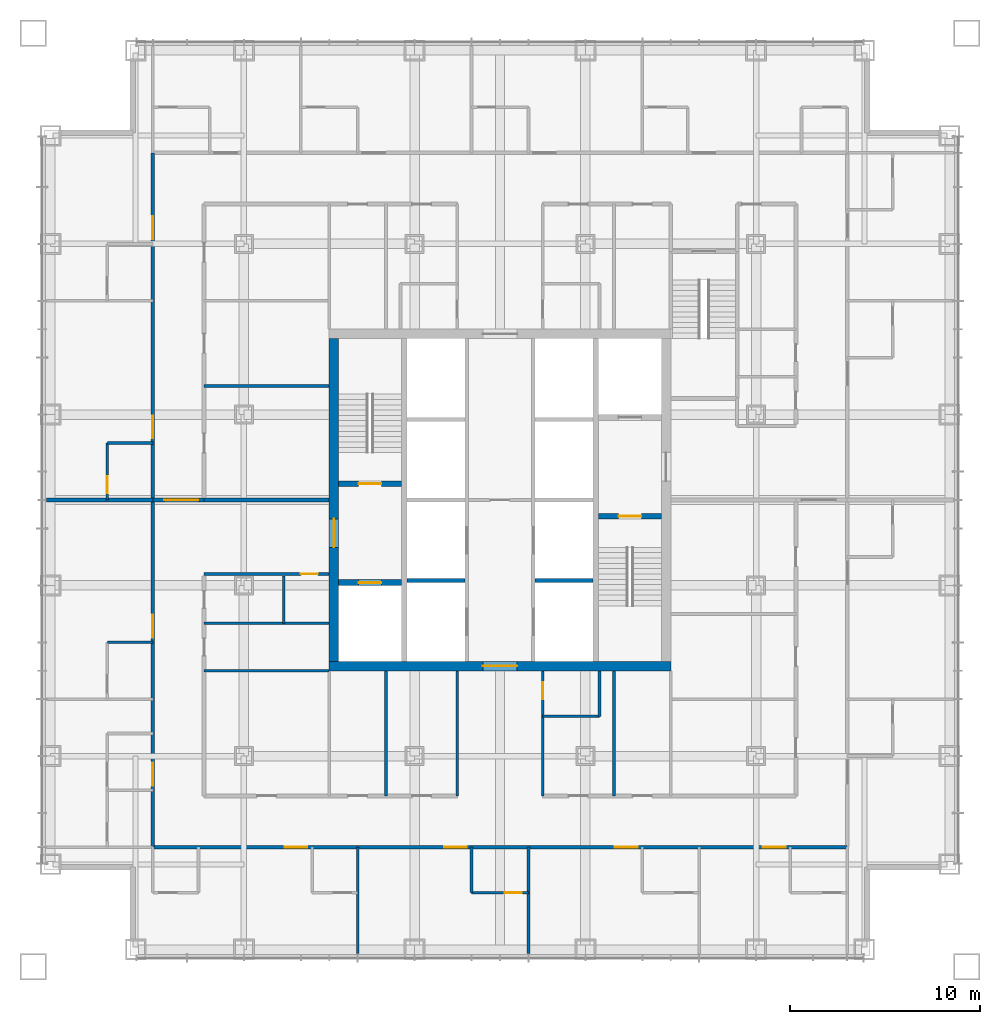
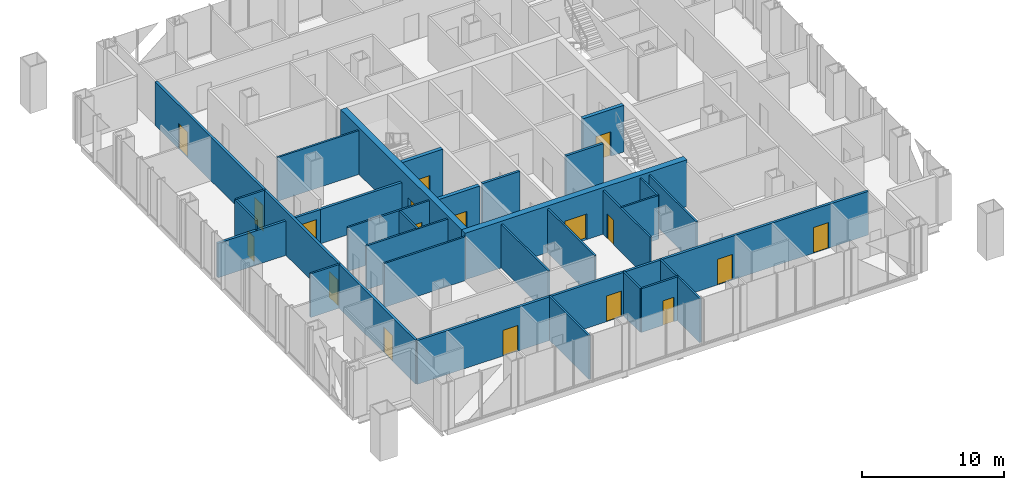
# One storey, part 9 of 13: 30 walls, 18 doors, 18 openings.
"""IFC4 building model written with IfcOpenShell, lengths in metres."""

import ifcopenshell
import ifcopenshell.guid

model = None  # the IFC model being written
_history = None  # IfcOwnerHistory: only IFC2X3 demands one
_inside = {}  # id of a spatial element -> (the spatial element, [elements in it])
_under = {}  # id of a project, library or spatial element -> (it, [spatial elements below it])
_declared = {}  # id of a project -> (the project, [libraries it declares])
_typed = {}  # id of a type object -> (the type object, [elements of that type])
_made_of = {}  # id of a material, layer set ... -> (it, [elements and type objects made of it])


def new_model(schema):
    """Start an empty IFC model of exactly this schema.

    Asked for "IFC4X3", IfcOpenShell would pick the latest addendum, in which some entities
    have other attributes; the version numbers below select the first issue.
    IFC2X3 requires an IfcOwnerHistory on every rooted entity: one is made here for all.
    """
    global model, _history
    if schema == "IFC4X3":
        model = ifcopenshell.file(schema_version=(4, 3, 0, 0))
    else:
        model = ifcopenshell.file(schema=schema)
    _inside.clear()
    _under.clear()
    _declared.clear()
    _typed.clear()
    _made_of.clear()
    _history = None
    if model.schema == "IFC2X3":
        org = make("IfcOrganization", Name="unknown")
        user = make(
            "IfcPersonAndOrganization",
            ThePerson=make("IfcPerson", FamilyName="unknown"),
            TheOrganization=org,
        )
        app = make(
            "IfcApplication",
            ApplicationDeveloper=org,
            Version="unknown",
            ApplicationFullName="unknown",
            ApplicationIdentifier="unknown",
        )
        _history = make(
            "IfcOwnerHistory",
            OwningUser=user,
            OwningApplication=app,
            ChangeAction="ADDED",
            CreationDate=0,
        )
    return model


def make(cls, **values):
    """One entity of the class cls with the attributes given. An attribute that is None is left unset."""
    return model.create_entity(
        cls, **{name: value for name, value in values.items() if value is not None}
    )


def rooted(cls, **values):
    """An entity with a GlobalId (a new one), such as an element, a storey or a relation."""
    return make(cls, GlobalId=ifcopenshell.guid.new(), OwnerHistory=_history, **values)


def si_unit(unit_type, name, prefix=None):
    """IfcSIUnit, for example si_unit("LENGTHUNIT", "METRE", prefix="MILLI")."""
    return make("IfcSIUnit", UnitType=unit_type, Prefix=prefix, Name=name)


def assignment(units):
    """IfcUnitAssignment: the units of a project."""
    return None if units is None else make("IfcUnitAssignment", Units=units)


def point(xyz):
    """IfcCartesianPoint."""
    return None if xyz is None else make("IfcCartesianPoint", Coordinates=xyz)


def direction(xyz):
    """IfcDirection."""
    return None if xyz is None else make("IfcDirection", DirectionRatios=xyz)


def frame(location, z_axis=None, x_axis=None):
    """IfcAxis2Placement3D, a coordinate frame: its origin and axes. An axis left out is left unset."""
    return make(
        "IfcAxis2Placement3D",
        Location=point(location),
        Axis=direction(z_axis),
        RefDirection=direction(x_axis),
    )


def frame_2d(location, x_axis=None):
    """IfcAxis2Placement2D, a coordinate frame in the plane: its origin and x axis."""
    return make(
        "IfcAxis2Placement2D", Location=point(location), RefDirection=direction(x_axis)
    )


def origin():
    """The frame at (0, 0, 0) with its axes left unset."""
    return frame((0.0, 0.0, 0.0))


def place(relative_to, where):
    """IfcLocalPlacement: puts the frame where relative to a parent placement (None: the world)."""
    return make(
        "IfcLocalPlacement", PlacementRelTo=relative_to, RelativePlacement=where
    )


def context(
    kind, dimensions, precision=None, world=None, true_north=None, identifier=None
):
    """IfcGeometricRepresentationContext, for example the 3D "Model" context."""
    return make(
        "IfcGeometricRepresentationContext",
        ContextIdentifier=identifier,
        ContextType=kind,
        CoordinateSpaceDimension=dimensions,
        Precision=precision,
        WorldCoordinateSystem=world,
        TrueNorth=true_north,
    )


def subcontext(parent, identifier, kind, view, scale=None):
    """IfcGeometricRepresentationSubContext, for example "Body" below "Model"."""
    return make(
        "IfcGeometricRepresentationSubContext",
        ContextIdentifier=identifier,
        ContextType=kind,
        ParentContext=parent,
        TargetScale=scale,
        TargetView=view,
    )


def project(units=None, contexts=None):
    """IfcProject with its units and contexts."""
    return rooted(
        "IfcProject",
        Name="project",
        RepresentationContexts=contexts,
        UnitsInContext=assignment(units),
    )


def spatial(cls, under=None, at=None, **own):
    """A site, building, storey or space (cls), placed at a placement, below another one or the project."""
    s = rooted(cls, ObjectPlacement=at, **own)
    if under is not None:
        _under.setdefault(under.id(), (under, []))[1].append(s)
    return s


def profile(cls, at=None, kind="AREA", **sizes):
    """A parametric profile (cls). Its sizes go by their IFC names, for example OverallWidth=200.0."""
    return make(cls, ProfileType=kind, Position=at, **sizes)


def rectangle(**sizes):
    """IfcRectangleProfileDef."""
    return profile("IfcRectangleProfileDef", **sizes)


def extrude(swept, where, along, depth):
    """IfcExtrudedAreaSolid: the profile swept, set in the frame where, extruded along a direction by depth."""
    return make(
        "IfcExtrudedAreaSolid",
        SweptArea=swept,
        Position=where,
        ExtrudedDirection=direction(along),
        Depth=depth,
    )


def shape(context_of_items, identifier, shape_type, items):
    """IfcShapeRepresentation: the items that make up one representation, for example the "Body"."""
    return make(
        "IfcShapeRepresentation",
        ContextOfItems=context_of_items,
        RepresentationIdentifier=identifier,
        RepresentationType=shape_type,
        Items=items,
    )


def material(Name=None, Category=None):
    """IfcMaterial."""
    return make("IfcMaterial", Name=Name, Category=Category)


def layer(
    of_material, thickness, ventilated=None, Name=None, Category=None, Priority=None
):
    """IfcMaterialLayer: one layer of a wall or slab, of a material (None: an air gap)."""
    return make(
        "IfcMaterialLayer",
        Material=of_material,
        LayerThickness=thickness,
        IsVentilated=ventilated,
        Name=Name,
        Category=Category,
        Priority=Priority,
    )


def layer_set(layers, Name=None):
    """IfcMaterialLayerSet."""
    return make("IfcMaterialLayerSet", MaterialLayers=layers, LayerSetName=Name)


def made_of(thing, what):
    """Note that an element or type object is made of a material, layer set ...; save() writes the relation."""
    if what is not None:
        _made_of.setdefault(what.id(), (what, []))[1].append(thing)
    return thing


def type_object(cls, material=None, **own):
    """A type object (cls), such as IfcWallType, which elements share."""
    return made_of(rooted(cls, **own), material)


def element(
    cls,
    number,
    at=None,
    inside=None,
    cuts=None,
    type_object=None,
    material=None,
    context=None,
    identifier="Body",
    shape_type=None,
    held_by="IfcProductDefinitionShape",
    body=None,
    shapes=None,
    **own,
):
    """One element of the class cls, such as IfcWall. Its Tag is "e" and its number.

    at: its placement. inside: the storey or other place that contains it. cuts: it is an
    opening in that element (IfcRelVoidsElement). A single representation is given by context,
    identifier, shape_type and body (its items); several are given by shapes. held_by: the class
    of the entity that holds the representations. save() writes the other relations.
    """
    e = rooted(cls, Tag="e%d" % number, ObjectPlacement=at, **own)
    if body is not None:
        shapes = [shape(context, identifier, shape_type, body)]
    if shapes is not None:
        e.Representation = make(held_by, Representations=shapes)
    if inside is not None:
        _inside.setdefault(inside.id(), (inside, []))[1].append(e)
    if cuts is not None:
        rooted(
            "IfcRelVoidsElement", RelatingBuildingElement=cuts, RelatedOpeningElement=e
        )
    if type_object is not None:
        _typed.setdefault(type_object.id(), (type_object, []))[1].append(e)
    return made_of(e, material)


def fill(opening, filler):
    """IfcRelFillsElement: the door or window that sits in an opening."""
    return rooted(
        "IfcRelFillsElement",
        RelatingOpeningElement=opening,
        RelatedBuildingElement=filler,
    )


def aggregate(whole, parts):
    """IfcRelAggregates: a whole, such as a stair, and the parts it consists of."""
    return rooted("IfcRelAggregates", RelatingObject=whole, RelatedObjects=parts)


def save(model, path):
    """Write the relations noted so far, then the file.

    IfcRelAggregates (storeys below a building ...), IfcRelContainedInSpatialStructure (elements
    in a storey), IfcRelDefinesByType, IfcRelAssociatesMaterial and IfcRelDeclares: one each for
    every whole, place, type object, material and project.
    """
    for whole, parts in _under.values():
        aggregate(whole, parts)
    for where, things in _inside.values():
        rooted(
            "IfcRelContainedInSpatialStructure",
            RelatedElements=things,
            RelatingStructure=where,
        )
    for kind, things in _typed.values():
        rooted("IfcRelDefinesByType", RelatedObjects=things, RelatingType=kind)
    for what, things in _made_of.values():
        rooted("IfcRelAssociatesMaterial", RelatedObjects=things, RelatingMaterial=what)
    for by, libraries in _declared.values():
        rooted("IfcRelDeclares", RelatingContext=by, RelatedDefinitions=libraries)
    model.write(path)


model = new_model("IFC4")

# Units and contexts
model_context = context("Model", 3, precision=1e-05, world=origin(), true_north=direction((0.0, 1.0)))
body_context = subcontext(model_context, "Body", "Model", "MODEL_VIEW")
ifc_project = project(units=[si_unit("LENGTHUNIT", "METRE"), si_unit("AREAUNIT", "SQUARE_METRE"), si_unit("VOLUMEUNIT", "CUBIC_METRE"), si_unit("PLANEANGLEUNIT", "RADIAN"), si_unit("MASSUNIT", "GRAM", prefix="KILO")], contexts=[model_context])

# Site, building, storey
site_placement = place(None, origin())
site = spatial("IfcSite", under=ifc_project, at=site_placement, CompositionType="ELEMENT")
building_placement = place(site_placement, origin())
building = spatial("IfcBuilding", under=site, at=building_placement, Name="Malebo Sky Hospital", CompositionType="ELEMENT")
storey_placement = place(building_placement, frame((0.0, 0.0, 104.0)))
storey = spatial("IfcBuildingStorey", under=building, at=storey_placement, Name="L24", CompositionType="ELEMENT", Elevation=104.0)

# Walls
ifc_material_1 = material(Name="Concrete C80/95", Category="concrete")
ifc_layer_1 = layer(ifc_material_1, 0.199951171875)
ifc_layer_set_1 = layer_set([ifc_layer_1], Name="CORE INNER WALL 200")
wall_type_1 = type_object("IfcWallType", Name="CORE INNER WALL 200", PredefinedType="SHEAR", material=ifc_layer_set_1)
for number, where, z_axis, x_axis, name in (
    (1, (55.10009765625, 57.75, 0.0), (0.0, 0.0, 1.0), (1.0, 0.0, 0.0), "Core wall SW0 L24"),
    (2, (61.85009765625, 57.75, 0.0), (0.0, 0.0, 1.0), (1.0, 0.0, 0.0), "Core wall SE0 L24"),
):
    element("IfcWall", number, at=place(storey_placement, frame(where, z_axis=z_axis, x_axis=x_axis)), inside=storey, type_object=wall_type_1, Name=name, PredefinedType="SHEAR", context=body_context, shape_type="SweptSolid", body=[
        extrude(rectangle(XDim=3.0498046875, YDim=0.199951171875, at=frame_2d((1.52490234375, 0.0))), origin(), (0.0, 0.0, 1.0), 4.0),
    ])

# Wall, opening, door
ifc_layer_2 = layer(ifc_material_1, 0.300048828125)
ifc_layer_set_2 = layer_set([ifc_layer_2], Name="CORE INNER WALL 300")
wall_type_2 = type_object("IfcWallType", Name="CORE INNER WALL 300", PredefinedType="SHEAR", material=ifc_layer_set_2)
wall_1_placement = place(storey_placement, frame((51.5, 62.85009765625, 0.0), z_axis=(0.0, 0.0, 1.0), x_axis=(1.0, 0.0, 0.0)))
wall_1 = element("IfcWall", 3, at=wall_1_placement, inside=storey, type_object=wall_type_2, Name="Core wall W1 L24", PredefinedType="SHEAR", context=body_context, shape_type="SweptSolid", body=[
    extrude(rectangle(XDim=3.300048828125, YDim=0.300048828125, at=frame_2d((1.64990234375, 0.0))), origin(), (0.0, 0.0, 1.0), 4.0),
])
opening_1_placement = place(wall_1_placement, frame((1.050048828125, 0.0, 0.0)))
opening_1 = element("IfcOpeningElement", 4, at=opening_1_placement, cuts=wall_1, Name="Opening D08", PredefinedType="OPENING", context=body_context, shape_type="SweptSolid", body=[
    extrude(rectangle(XDim=1.199951171875, YDim=2.10009765625, at=frame_2d((0.60009765625, 1.050048828125))), frame((0.0, 0.159912109375, 0.0), z_axis=(0.0, -1.0, 0.0), x_axis=(1.0, 0.0, 0.0)), (0.0, 0.0, 1.0), 0.320068359375),
])
ifc_material_2 = material(Name="Hardwood-faced door leaf in steel frame", Category="steel")
door_type_1 = type_object("IfcDoorType", Name="STAIR DOOR 1200", OperationType="SINGLE_SWING_LEFT", PredefinedType="DOOR", material=ifc_material_2)
door_1_placement = place(opening_1_placement, origin())
door_1 = element("IfcDoor", 5, at=door_1_placement, inside=storey, type_object=door_type_1, Name="Stair S1 door", OperationType="SINGLE_SWING_LEFT", OverallHeight=2.10009765625, OverallWidth=1.199951171875, PredefinedType="DOOR", context=body_context, shape_type="SweptSolid", body=[
    extrude(rectangle(XDim=1.199951171875, YDim=2.10009765625, at=frame_2d((0.60009765625, 1.050048828125))), frame((0.0, 0.02490234375, 0.0), z_axis=(0.0, -1.0, 0.0), x_axis=(1.0, 0.0, 0.0)), (0.0, 0.0, 1.0), 0.050048828125),
])
fill(opening_1, door_1)

wall_2_placement = place(storey_placement, frame((51.5, 57.64990234375, 0.0), z_axis=(0.0, 0.0, 1.0), x_axis=(1.0, 0.0, 0.0)))
wall_2 = element("IfcWall", 6, at=wall_2_placement, inside=storey, type_object=wall_type_2, Name="Core wall W2 L24", PredefinedType="SHEAR", context=body_context, shape_type="SweptSolid", body=[
    extrude(rectangle(XDim=3.300048828125, YDim=0.300048828125, at=frame_2d((1.64990234375, 0.0))), origin(), (0.0, 0.0, 1.0), 4.0),
])
opening_2_placement = place(wall_2_placement, frame((1.050048828125, 0.0, 0.0)))
opening_2 = element("IfcOpeningElement", 7, at=opening_2_placement, cuts=wall_2, Name="Opening LD2", PredefinedType="OPENING", context=body_context, shape_type="SweptSolid", body=[
    extrude(rectangle(XDim=1.199951171875, YDim=2.199951171875, at=frame_2d((0.60009765625, 1.10009765625))), frame((0.0, 0.159912109375, 0.0), z_axis=(0.0, -1.0, 0.0), x_axis=(1.0, 0.0, 0.0)), (0.0, 0.0, 1.0), 0.320068359375),
])
ifc_material_3 = material(Name="Stainless steel sliding landing door", Category="steel")
door_type_2 = type_object("IfcDoorType", Name="FIRE-FIGHTING LIFT LANDING DOOR 1200", OperationType="SLIDING_TO_LEFT", PredefinedType="DOOR", material=ifc_material_3)
door_2_placement = place(opening_2_placement, origin())
door_2 = element("IfcDoor", 8, at=door_2_placement, inside=storey, type_object=door_type_2, Name="Lift FL1 landing door", OperationType="SLIDING_TO_LEFT", OverallHeight=2.199951171875, OverallWidth=1.199951171875, PredefinedType="DOOR", context=body_context, shape_type="SweptSolid", body=[
    extrude(rectangle(XDim=1.199951171875, YDim=2.199951171875, at=frame_2d((0.60009765625, 1.10009765625))), frame((0.0, 0.02490234375, 0.0), z_axis=(0.0, -1.0, 0.0), x_axis=(1.0, 0.0, 0.0)), (0.0, 0.0, 1.0), 0.050048828125),
])
fill(opening_2, door_2)

wall_3_placement = place(storey_placement, frame((65.199951171875, 61.14990234375, 0.0), z_axis=(0.0, 0.0, 1.0), x_axis=(1.0, 0.0, 0.0)))
wall_3 = element("IfcWall", 9, at=wall_3_placement, inside=storey, type_object=wall_type_2, Name="Core wall E1 L24", PredefinedType="SHEAR", context=body_context, shape_type="SweptSolid", body=[
    extrude(rectangle(XDim=3.300048828125, YDim=0.300048828125, at=frame_2d((1.64990234375, 0.0))), origin(), (0.0, 0.0, 1.0), 4.0),
])
opening_3_placement = place(wall_3_placement, frame((1.050048828125, 0.0, 0.0)))
opening_3 = element("IfcOpeningElement", 10, at=opening_3_placement, cuts=wall_3, Name="Opening D08", PredefinedType="OPENING", context=body_context, shape_type="SweptSolid", body=[
    extrude(rectangle(XDim=1.199951171875, YDim=2.10009765625, at=frame_2d((0.60009765625, 1.050048828125))), frame((0.0, 0.159912109375, 0.0), z_axis=(0.0, -1.0, 0.0), x_axis=(1.0, 0.0, 0.0)), (0.0, 0.0, 1.0), 0.320068359375),
])
door_3_placement = place(opening_3_placement, origin())
door_3 = element("IfcDoor", 11, at=door_3_placement, inside=storey, type_object=door_type_1, Name="Stair S2 door", OperationType="SINGLE_SWING_LEFT", OverallHeight=2.10009765625, OverallWidth=1.199951171875, PredefinedType="DOOR", context=body_context, shape_type="SweptSolid", body=[
    extrude(rectangle(XDim=1.199951171875, YDim=2.10009765625, at=frame_2d((0.60009765625, 1.050048828125))), frame((0.0, 0.02490234375, 0.0), z_axis=(0.0, -1.0, 0.0), x_axis=(1.0, 0.0, 0.0)), (0.0, 0.0, 1.0), 0.050048828125),
])
fill(opening_3, door_3)

ifc_layer_3 = layer(ifc_material_1, 0.5)
ifc_layer_set_3 = layer_set([ifc_layer_3], Name="CORE WALL 500")
wall_type_3 = type_object("IfcWallType", Name="CORE WALL 500", PredefinedType="SHEAR", material=ifc_layer_set_3)
wall_4_placement = place(storey_placement, frame((51.0, 53.25, 0.0), z_axis=(0.0, 0.0, 1.0), x_axis=(1.0, 0.0, 0.0)))
wall_4 = element("IfcWall", 12, at=wall_4_placement, inside=storey, type_object=wall_type_3, Name="Core wall S L24", PredefinedType="SHEAR", context=body_context, shape_type="SweptSolid", body=[
    extrude(rectangle(XDim=18.0, YDim=0.5, at=frame_2d((9.0, 0.0))), origin(), (0.0, 0.0, 1.0), 4.0),
])
opening_4_placement = place(wall_4_placement, frame((8.10009765625, 0.0, 0.0)))
opening_4 = element("IfcOpeningElement", 13, at=opening_4_placement, cuts=wall_4, Name="Opening D06", PredefinedType="OPENING", context=body_context, shape_type="SweptSolid", body=[
    extrude(rectangle(XDim=1.800048828125, YDim=2.199951171875, at=frame_2d((0.89990234375, 1.10009765625))), frame((0.0, 0.260009765625, 0.0), z_axis=(0.0, -1.0, 0.0), x_axis=(1.0, 0.0, 0.0)), (0.0, 0.0, 1.0), 0.52001953125),
])
door_type_3 = type_object("IfcDoorType", Name="LOBBY DOOR PAIR 1800", OperationType="DOUBLE_DOOR_SINGLE_SWING", PredefinedType="DOOR", material=ifc_material_2)
door_4_placement = place(opening_4_placement, origin())
door_4 = element("IfcDoor", 14, at=door_4_placement, inside=storey, type_object=door_type_3, Name="Lift lobby door south", OperationType="DOUBLE_DOOR_SINGLE_SWING", OverallHeight=2.199951171875, OverallWidth=1.800048828125, PredefinedType="DOOR", context=body_context, shape_type="SweptSolid", body=[
    extrude(rectangle(XDim=1.800048828125, YDim=2.199951171875, at=frame_2d((0.89990234375, 1.10009765625))), frame((0.0, 0.02490234375, 0.0), z_axis=(0.0, -1.0, 0.0), x_axis=(1.0, 0.0, 0.0)), (0.0, 0.0, 1.0), 0.050048828125),
])
fill(opening_4, door_4)

wall_5_placement = place(storey_placement, frame((51.25, 53.5, 0.0), z_axis=(0.0, 0.0, 1.0), x_axis=(0.0, 1.0, 0.0)))
wall_5 = element("IfcWall", 15, at=wall_5_placement, inside=storey, type_object=wall_type_3, Name="Core wall W L24", PredefinedType="SHEAR", context=body_context, shape_type="SweptSolid", body=[
    extrude(rectangle(XDim=17.0, YDim=0.5, at=frame_2d((8.5, 0.0))), origin(), (0.0, 0.0, 1.0), 4.0),
])
opening_5_placement = place(wall_5_placement, frame((6.0, 0.0, 0.0)))
opening_5 = element("IfcOpeningElement", 16, at=opening_5_placement, cuts=wall_5, Name="Opening D07", PredefinedType="OPENING", context=body_context, shape_type="SweptSolid", body=[
    extrude(rectangle(XDim=1.5, YDim=2.199951171875, at=frame_2d((0.75, 1.10009765625))), frame((0.0, 0.260009765625, 0.0), z_axis=(0.0, -1.0, 0.0), x_axis=(1.0, 0.0, 0.0)), (0.0, 0.0, 1.0), 0.52001953125),
])
door_type_4 = type_object("IfcDoorType", Name="FIRE-FIGHTING LOBBY DOOR PAIR 1500", OperationType="DOUBLE_DOOR_SINGLE_SWING", PredefinedType="DOOR", material=ifc_material_2)
door_5_placement = place(opening_5_placement, origin())
door_5 = element("IfcDoor", 17, at=door_5_placement, inside=storey, type_object=door_type_4, Name="Fire-fighting lobby door west", OperationType="DOUBLE_DOOR_SINGLE_SWING", OverallHeight=2.199951171875, OverallWidth=1.5, PredefinedType="DOOR", context=body_context, shape_type="SweptSolid", body=[
    extrude(rectangle(XDim=1.5, YDim=2.199951171875, at=frame_2d((0.75, 1.10009765625))), frame((0.0, 0.02490234375, 0.0), z_axis=(0.0, -1.0, 0.0), x_axis=(1.0, 0.0, 0.0)), (0.0, 0.0, 1.0), 0.050048828125),
])
fill(opening_5, door_5)

# Wall, openings, doors
ifc_material_4 = material(Name="Gypsum board on steel studs", Category="steel")
ifc_layer_4 = layer(ifc_material_4, 0.199951171875)
ifc_layer_set_4 = layer_set([ifc_layer_4], Name="CORRIDOR WALL 200")
wall_type_4 = type_object("IfcWallType", Name="CORRIDOR WALL 200", PredefinedType="PARTITIONING", material=ifc_layer_set_4)
wall_6_placement = place(storey_placement, frame((41.699951171875, 43.699951171875, 0.0), z_axis=(0.0, 0.0, 1.0), x_axis=(0.0, 1.0, 0.0)))
wall_6 = element("IfcWall", 18, at=wall_6_placement, inside=storey, type_object=wall_type_4, Name="Corridor Wall 200 WCO", PredefinedType="PARTITIONING", context=body_context, shape_type="SweptSolid", body=[
    extrude(rectangle(XDim=36.60009765625, YDim=0.199951171875, at=frame_2d((18.300048828125, 0.0))), origin(), (0.0, 0.0, 1.0), 3.75),
])
opening_6_placement = place(wall_6_placement, frame((3.25, 0.0, 0.0)))
opening_6 = element("IfcOpeningElement", 19, at=opening_6_placement, cuts=wall_6, Name="Opening D18", PredefinedType="OPENING", context=body_context, shape_type="SweptSolid", body=[
    extrude(rectangle(XDim=1.199951171875, YDim=2.199951171875, at=frame_2d((0.60009765625, 1.10009765625))), frame((0.0, 0.10986328125, 0.0), z_axis=(0.0, -1.0, 0.0), x_axis=(1.0, 0.0, 0.0)), (0.0, 0.0, 1.0), 0.219970703125),
])
opening_7_placement = place(wall_6_placement, frame((11.050048828125, 0.0, 0.0)))
opening_7 = element("IfcOpeningElement", 20, at=opening_7_placement, cuts=wall_6, Name="Opening D01", PredefinedType="OPENING", context=body_context, shape_type="SweptSolid", body=[
    extrude(rectangle(XDim=1.199951171875, YDim=2.199951171875, at=frame_2d((0.60009765625, 1.10009765625))), frame((0.0, 0.10986328125, 0.0), z_axis=(0.0, -1.0, 0.0), x_axis=(1.0, 0.0, 0.0)), (0.0, 0.0, 1.0), 0.219970703125),
])
opening_8_placement = place(wall_6_placement, frame((21.550048828125, 0.0, 0.0)))
opening_8 = element("IfcOpeningElement", 21, at=opening_8_placement, cuts=wall_6, Name="Opening D01", PredefinedType="OPENING", context=body_context, shape_type="SweptSolid", body=[
    extrude(rectangle(XDim=1.199951171875, YDim=2.199951171875, at=frame_2d((0.60009765625, 1.10009765625))), frame((0.0, 0.10986328125, 0.0), z_axis=(0.0, -1.0, 0.0), x_axis=(1.0, 0.0, 0.0)), (0.0, 0.0, 1.0), 0.219970703125),
])
opening_9_placement = place(wall_6_placement, frame((32.050048828125, 0.0, 0.0)))
opening_9 = element("IfcOpeningElement", 22, at=opening_9_placement, cuts=wall_6, Name="Opening D01", PredefinedType="OPENING", context=body_context, shape_type="SweptSolid", body=[
    extrude(rectangle(XDim=1.199951171875, YDim=2.199951171875, at=frame_2d((0.60009765625, 1.10009765625))), frame((0.0, 0.10986328125, 0.0), z_axis=(0.0, -1.0, 0.0), x_axis=(1.0, 0.0, 0.0)), (0.0, 0.0, 1.0), 0.219970703125),
])
door_type_5 = type_object("IfcDoorType", Name="ANTEROOM DOOR 1200", OperationType="SINGLE_SWING_LEFT", PredefinedType="DOOR", material=ifc_material_2)
door_6_placement = place(opening_6_placement, origin())
door_6 = element("IfcDoor", 23, at=door_6_placement, inside=storey, type_object=door_type_5, Name="Anteroom door", OperationType="SINGLE_SWING_LEFT", OverallHeight=2.199951171875, OverallWidth=1.199951171875, PredefinedType="DOOR", context=body_context, shape_type="SweptSolid", body=[
    extrude(rectangle(XDim=1.199951171875, YDim=2.199951171875, at=frame_2d((0.60009765625, 1.10009765625))), frame((0.0, 0.02490234375, 0.0), z_axis=(0.0, -1.0, 0.0), x_axis=(1.0, 0.0, 0.0)), (0.0, 0.0, 1.0), 0.050048828125),
])
fill(opening_6, door_6)
door_type_6 = type_object("IfcDoorType", Name="BED DOOR 1200", OperationType="SINGLE_SWING_LEFT", PredefinedType="DOOR", material=ifc_material_2)
door_7_placement = place(opening_7_placement, origin())
door_7 = element("IfcDoor", 24, at=door_7_placement, inside=storey, type_object=door_type_6, Name="Observation bay door", OperationType="SINGLE_SWING_LEFT", OverallHeight=2.199951171875, OverallWidth=1.199951171875, PredefinedType="DOOR", context=body_context, shape_type="SweptSolid", body=[
    extrude(rectangle(XDim=1.199951171875, YDim=2.199951171875, at=frame_2d((0.60009765625, 1.10009765625))), frame((0.0, 0.02490234375, 0.0), z_axis=(0.0, -1.0, 0.0), x_axis=(1.0, 0.0, 0.0)), (0.0, 0.0, 1.0), 0.050048828125),
])
fill(opening_7, door_7)
door_8_placement = place(opening_8_placement, origin())
door_8 = element("IfcDoor", 25, at=door_8_placement, inside=storey, type_object=door_type_6, Name="Coronary care room door", OperationType="SINGLE_SWING_LEFT", OverallHeight=2.199951171875, OverallWidth=1.199951171875, PredefinedType="DOOR", context=body_context, shape_type="SweptSolid", body=[
    extrude(rectangle(XDim=1.199951171875, YDim=2.199951171875, at=frame_2d((0.60009765625, 1.10009765625))), frame((0.0, 0.02490234375, 0.0), z_axis=(0.0, -1.0, 0.0), x_axis=(1.0, 0.0, 0.0)), (0.0, 0.0, 1.0), 0.050048828125),
])
fill(opening_8, door_8)
door_9_placement = place(opening_9_placement, origin())
door_9 = element("IfcDoor", 26, at=door_9_placement, inside=storey, type_object=door_type_6, Name="Two-bed room door", OperationType="SINGLE_SWING_LEFT", OverallHeight=2.199951171875, OverallWidth=1.199951171875, PredefinedType="DOOR", context=body_context, shape_type="SweptSolid", body=[
    extrude(rectangle(XDim=1.199951171875, YDim=2.199951171875, at=frame_2d((0.60009765625, 1.10009765625))), frame((0.0, 0.02490234375, 0.0), z_axis=(0.0, -1.0, 0.0), x_axis=(1.0, 0.0, 0.0)), (0.0, 0.0, 1.0), 0.050048828125),
])
fill(opening_9, door_9)

wall_7_placement = place(storey_placement, frame((78.300048828125, 43.699951171875, 0.0), z_axis=(0.0, 0.0, 1.0), x_axis=(-1.0, 0.0, 0.0)))
wall_7 = element("IfcWall", 27, at=wall_7_placement, inside=storey, type_object=wall_type_4, Name="Corridor Wall 200 SCO", PredefinedType="PARTITIONING", context=body_context, shape_type="SweptSolid", body=[
    extrude(rectangle(XDim=36.60009765625, YDim=0.199951171875, at=frame_2d((18.300048828125, 0.0))), origin(), (0.0, 0.0, 1.0), 3.75),
])
opening_10_placement = place(wall_7_placement, frame((3.25, 0.0, 0.0)))
opening_10 = element("IfcOpeningElement", 28, at=opening_10_placement, cuts=wall_7, Name="Opening D01", PredefinedType="OPENING", context=body_context, shape_type="SweptSolid", body=[
    extrude(rectangle(XDim=1.199951171875, YDim=2.199951171875, at=frame_2d((0.60009765625, 1.10009765625))), frame((0.0, 0.10986328125, 0.0), z_axis=(0.0, -1.0, 0.0), x_axis=(1.0, 0.0, 0.0)), (0.0, 0.0, 1.0), 0.219970703125),
])
opening_11_placement = place(wall_7_placement, frame((11.050048828125, 0.0, 0.0)))
opening_11 = element("IfcOpeningElement", 29, at=opening_11_placement, cuts=wall_7, Name="Opening D01", PredefinedType="OPENING", context=body_context, shape_type="SweptSolid", body=[
    extrude(rectangle(XDim=1.199951171875, YDim=2.199951171875, at=frame_2d((0.60009765625, 1.10009765625))), frame((0.0, 0.10986328125, 0.0), z_axis=(0.0, -1.0, 0.0), x_axis=(1.0, 0.0, 0.0)), (0.0, 0.0, 1.0), 0.219970703125),
])
opening_12_placement = place(wall_7_placement, frame((20.050048828125, 0.0, 0.0)))
opening_12 = element("IfcOpeningElement", 30, at=opening_12_placement, cuts=wall_7, Name="Opening D01", PredefinedType="OPENING", context=body_context, shape_type="SweptSolid", body=[
    extrude(rectangle(XDim=1.199951171875, YDim=2.199951171875, at=frame_2d((0.60009765625, 1.10009765625))), frame((0.0, 0.10986328125, 0.0), z_axis=(0.0, -1.0, 0.0), x_axis=(1.0, 0.0, 0.0)), (0.0, 0.0, 1.0), 0.219970703125),
])
opening_13_placement = place(wall_7_placement, frame((28.449951171875, 0.0, 0.0)))
opening_13 = element("IfcOpeningElement", 31, at=opening_13_placement, cuts=wall_7, Name="Opening D01", PredefinedType="OPENING", context=body_context, shape_type="SweptSolid", body=[
    extrude(rectangle(XDim=1.199951171875, YDim=2.199951171875, at=frame_2d((0.60009765625, 1.10009765625))), frame((0.0, 0.10986328125, 0.0), z_axis=(0.0, -1.0, 0.0), x_axis=(1.0, 0.0, 0.0)), (0.0, 0.0, 1.0), 0.219970703125),
])
door_10_placement = place(opening_10_placement, origin())
door_10 = element("IfcDoor", 32, at=door_10_placement, inside=storey, type_object=door_type_6, Name="Coronary care room door", OperationType="SINGLE_SWING_LEFT", OverallHeight=2.199951171875, OverallWidth=1.199951171875, PredefinedType="DOOR", context=body_context, shape_type="SweptSolid", body=[
    extrude(rectangle(XDim=1.199951171875, YDim=2.199951171875, at=frame_2d((0.60009765625, 1.10009765625))), frame((0.0, 0.02490234375, 0.0), z_axis=(0.0, -1.0, 0.0), x_axis=(1.0, 0.0, 0.0)), (0.0, 0.0, 1.0), 0.050048828125),
])
fill(opening_10, door_10)
door_11_placement = place(opening_11_placement, origin())
door_11 = element("IfcDoor", 33, at=door_11_placement, inside=storey, type_object=door_type_6, Name="Two-bed room door", OperationType="SINGLE_SWING_LEFT", OverallHeight=2.199951171875, OverallWidth=1.199951171875, PredefinedType="DOOR", context=body_context, shape_type="SweptSolid", body=[
    extrude(rectangle(XDim=1.199951171875, YDim=2.199951171875, at=frame_2d((0.60009765625, 1.10009765625))), frame((0.0, 0.02490234375, 0.0), z_axis=(0.0, -1.0, 0.0), x_axis=(1.0, 0.0, 0.0)), (0.0, 0.0, 1.0), 0.050048828125),
])
fill(opening_11, door_11)
door_12_placement = place(opening_12_placement, origin())
door_12 = element("IfcDoor", 34, at=door_12_placement, inside=storey, type_object=door_type_6, Name="Coronary care room door", OperationType="SINGLE_SWING_LEFT", OverallHeight=2.199951171875, OverallWidth=1.199951171875, PredefinedType="DOOR", context=body_context, shape_type="SweptSolid", body=[
    extrude(rectangle(XDim=1.199951171875, YDim=2.199951171875, at=frame_2d((0.60009765625, 1.10009765625))), frame((0.0, 0.02490234375, 0.0), z_axis=(0.0, -1.0, 0.0), x_axis=(1.0, 0.0, 0.0)), (0.0, 0.0, 1.0), 0.050048828125),
])
fill(opening_12, door_12)
door_13_placement = place(opening_13_placement, origin())
door_13 = element("IfcDoor", 35, at=door_13_placement, inside=storey, type_object=door_type_6, Name="Four-bed bay door", OperationType="SINGLE_SWING_LEFT", OverallHeight=2.199951171875, OverallWidth=1.199951171875, PredefinedType="DOOR", context=body_context, shape_type="SweptSolid", body=[
    extrude(rectangle(XDim=1.199951171875, YDim=2.199951171875, at=frame_2d((0.60009765625, 1.10009765625))), frame((0.0, 0.02490234375, 0.0), z_axis=(0.0, -1.0, 0.0), x_axis=(1.0, 0.0, 0.0)), (0.0, 0.0, 1.0), 0.050048828125),
])
fill(opening_13, door_13)

# Wall
ifc_layer_5 = layer(ifc_material_4, 0.14990234375)
ifc_layer_set_5 = layer_set([ifc_layer_5], Name="PARTITION 150")
wall_type_5 = type_object("IfcWallType", Name="PARTITION 150", PredefinedType="PARTITIONING", material=ifc_layer_set_5)
wall_8_placement = place(storey_placement, frame((41.699951171875, 54.5, 0.0), z_axis=(0.0, 0.0, 1.0), x_axis=(-1.0, 0.0, 0.0)))
element("IfcWall", 36, at=wall_8_placement, inside=storey, type_object=wall_type_5, Name="Partition 150 WE1S", PredefinedType="PARTITIONING", context=body_context, shape_type="SweptSolid", body=[
    extrude(rectangle(XDim=2.39990234375, YDim=0.14990234375, at=frame_2d((1.199951171875, 0.0))), origin(), (0.0, 0.0, 1.0), 3.75),
])

# Wall, opening, door
wall_9_placement = place(storey_placement, frame((39.300048828125, 62.0, 0.0), z_axis=(0.0, 0.0, 1.0), x_axis=(0.0, 1.0, 0.0)))
wall_9 = element("IfcWall", 37, at=wall_9_placement, inside=storey, type_object=wall_type_5, Name="Partition 150 WE2F", PredefinedType="PARTITIONING", context=body_context, shape_type="SweptSolid", body=[
    extrude(rectangle(XDim=3.0, YDim=0.14990234375, at=frame_2d((1.5, 0.0))), origin(), (0.0, 0.0, 1.0), 3.75),
])
opening_14_placement = place(wall_9_placement, frame((0.35009765625, 0.0, 0.0)))
opening_14 = element("IfcOpeningElement", 38, at=opening_14_placement, cuts=wall_9, Name="Opening D02", PredefinedType="OPENING", context=body_context, shape_type="SweptSolid", body=[
    extrude(rectangle(XDim=0.89990234375, YDim=2.10009765625, at=frame_2d((0.449951171875, 1.050048828125))), frame((0.0, 0.0849609375, 0.0), z_axis=(0.0, -1.0, 0.0), x_axis=(1.0, 0.0, 0.0)), (0.0, 0.0, 1.0), 0.169921875),
])
door_type_7 = type_object("IfcDoorType", Name="EN-SUITE DOOR 900", OperationType="SINGLE_SWING_LEFT", PredefinedType="DOOR", material=ifc_material_2)
door_14_placement = place(opening_14_placement, origin())
door_14 = element("IfcDoor", 39, at=door_14_placement, inside=storey, type_object=door_type_7, Name="En-suite door", OperationType="SINGLE_SWING_LEFT", OverallHeight=2.10009765625, OverallWidth=0.89990234375, PredefinedType="DOOR", context=body_context, shape_type="SweptSolid", body=[
    extrude(rectangle(XDim=0.89990234375, YDim=2.10009765625, at=frame_2d((0.449951171875, 1.050048828125))), frame((0.0, 0.02490234375, 0.0), z_axis=(0.0, -1.0, 0.0), x_axis=(1.0, 0.0, 0.0)), (0.0, 0.0, 1.0), 0.050048828125),
])
fill(opening_14, door_14)

# Walls
wall_10_placement = place(storey_placement, frame((41.699951171875, 65.0, 0.0), z_axis=(0.0, 0.0, 1.0), x_axis=(-1.0, 0.0, 0.0)))
element("IfcWall", 40, at=wall_10_placement, inside=storey, type_object=wall_type_5, Name="Partition 150 WE2S", PredefinedType="PARTITIONING", context=body_context, shape_type="SweptSolid", body=[
    extrude(rectangle(XDim=2.39990234375, YDim=0.14990234375, at=frame_2d((1.199951171875, 0.0))), origin(), (0.0, 0.0, 1.0), 3.75),
])
wall_11_placement = place(storey_placement, frame((51.0, 53.0, 0.0), z_axis=(0.0, 0.0, 1.0), x_axis=(-1.0, 0.0, 0.0)))
element("IfcWall", 41, at=wall_11_placement, inside=storey, type_object=wall_type_5, Name="Partition 150 WSP0", PredefinedType="PARTITIONING", context=body_context, shape_type="SweptSolid", body=[
    extrude(rectangle(XDim=6.60009765625, YDim=0.14990234375, at=frame_2d((3.300048828125, 0.0))), origin(), (0.0, 0.0, 1.0), 3.75),
])

# Wall, opening, door
wall_12_placement = place(storey_placement, frame((51.0, 58.10009765625, 0.0), z_axis=(0.0, 0.0, 1.0), x_axis=(-1.0, 0.0, 0.0)))
wall_12 = element("IfcWall", 42, at=wall_12_placement, inside=storey, type_object=wall_type_5, Name="Partition 150 WSPA", PredefinedType="PARTITIONING", context=body_context, shape_type="SweptSolid", body=[
    extrude(rectangle(XDim=6.60009765625, YDim=0.14990234375, at=frame_2d((3.300048828125, 0.0))), origin(), (0.0, 0.0, 1.0), 3.75),
])
opening_15_placement = place(wall_12_placement, frame((0.60009765625, 0.0, 0.0)))
opening_15 = element("IfcOpeningElement", 43, at=opening_15_placement, cuts=wall_12, Name="Opening D04", PredefinedType="OPENING", context=body_context, shape_type="SweptSolid", body=[
    extrude(rectangle(XDim=0.89990234375, YDim=2.10009765625, at=frame_2d((0.449951171875, 1.050048828125))), frame((0.0, 0.0849609375, 0.0), z_axis=(0.0, -1.0, 0.0), x_axis=(1.0, 0.0, 0.0)), (0.0, 0.0, 1.0), 0.169921875),
])
door_type_8 = type_object("IfcDoorType", Name="ROOM DOOR 900", OperationType="SINGLE_SWING_LEFT", PredefinedType="DOOR", material=ifc_material_2)
door_15_placement = place(opening_15_placement, origin())
door_15 = element("IfcDoor", 44, at=door_15_placement, inside=storey, type_object=door_type_8, Name="Cleaner's room door", OperationType="SINGLE_SWING_LEFT", OverallHeight=2.10009765625, OverallWidth=0.89990234375, PredefinedType="DOOR", context=body_context, shape_type="SweptSolid", body=[
    extrude(rectangle(XDim=0.89990234375, YDim=2.10009765625, at=frame_2d((0.449951171875, 1.050048828125))), frame((0.0, 0.02490234375, 0.0), z_axis=(0.0, -1.0, 0.0), x_axis=(1.0, 0.0, 0.0)), (0.0, 0.0, 1.0), 0.050048828125),
])
fill(opening_15, door_15)

# Walls
for number, where, z_axis, x_axis, name in (
    (45, (51.0, 55.5, 0.0), (0.0, 0.0, 1.0), (-1.0, 0.0, 0.0), "Partition 150 WSP-6.5"),
    (46, (51.0, 68.0, 0.0), (0.0, 0.0, 1.0), (-1.0, 0.0, 0.0), "Partition 150 WSP+6.0"),
):
    element("IfcWall", number, at=place(storey_placement, frame(where, z_axis=z_axis, x_axis=x_axis)), inside=storey, type_object=wall_type_5, Name=name, PredefinedType="PARTITIONING", context=body_context, shape_type="SweptSolid", body=[
        extrude(rectangle(XDim=6.60009765625, YDim=0.14990234375, at=frame_2d((3.300048828125, 0.0))), origin(), (0.0, 0.0, 1.0), 3.75),
    ])
wall_13_placement = place(storey_placement, frame((48.60009765625, 55.5, 0.0), z_axis=(0.0, 0.0, 1.0), x_axis=(0.0, 1.0, 0.0)))
element("IfcWall", 47, at=wall_13_placement, inside=storey, type_object=wall_type_5, Name="Partition 150 WSX1", PredefinedType="PARTITIONING", context=body_context, shape_type="SweptSolid", body=[
    extrude(rectangle(XDim=2.5, YDim=0.14990234375, at=frame_2d((1.25, 0.0))), origin(), (0.0, 0.0, 1.0), 3.75),
])
for number, where, z_axis, x_axis, name in (
    (48, (61.5, 43.699951171875, 0.0), (0.0, 0.0, 1.0), (0.0, -1.0, 0.0), "Partition 150 SP-1.5"),
    (49, (52.5, 43.699951171875, 0.0), (0.0, 0.0, 1.0), (0.0, -1.0, 0.0), "Partition 150 SP+7.5"),
):
    element("IfcWall", number, at=place(storey_placement, frame(where, z_axis=z_axis, x_axis=x_axis)), inside=storey, type_object=wall_type_5, Name=name, PredefinedType="PARTITIONING", context=body_context, shape_type="SweptSolid", body=[
        extrude(rectangle(XDim=5.60986328125, YDim=0.14990234375, at=frame_2d((2.804931640625, 0.0))), origin(), (0.0, 0.0, 1.0), 3.75),
    ])

# Wall, opening, door
wall_14_placement = place(storey_placement, frame((61.5, 41.300048828125, 0.0), z_axis=(0.0, 0.0, 1.0), x_axis=(-1.0, 0.0, 0.0)))
wall_14 = element("IfcWall", 50, at=wall_14_placement, inside=storey, type_object=wall_type_5, Name="Partition 150 SE2F", PredefinedType="PARTITIONING", context=body_context, shape_type="SweptSolid", body=[
    extrude(rectangle(XDim=3.0, YDim=0.14990234375, at=frame_2d((1.5, 0.0))), origin(), (0.0, 0.0, 1.0), 3.75),
])
opening_16_placement = place(wall_14_placement, frame((0.35009765625, 0.0, 0.0)))
opening_16 = element("IfcOpeningElement", 51, at=opening_16_placement, cuts=wall_14, Name="Opening D02", PredefinedType="OPENING", context=body_context, shape_type="SweptSolid", body=[
    extrude(rectangle(XDim=0.89990234375, YDim=2.10009765625, at=frame_2d((0.449951171875, 1.050048828125))), frame((0.0, 0.0849609375, 0.0), z_axis=(0.0, -1.0, 0.0), x_axis=(1.0, 0.0, 0.0)), (0.0, 0.0, 1.0), 0.169921875),
])
door_16_placement = place(opening_16_placement, origin())
door_16 = element("IfcDoor", 52, at=door_16_placement, inside=storey, type_object=door_type_7, Name="En-suite door", OperationType="SINGLE_SWING_LEFT", OverallHeight=2.10009765625, OverallWidth=0.89990234375, PredefinedType="DOOR", context=body_context, shape_type="SweptSolid", body=[
    extrude(rectangle(XDim=0.89990234375, YDim=2.10009765625, at=frame_2d((0.449951171875, 1.050048828125))), frame((0.0, 0.02490234375, 0.0), z_axis=(0.0, -1.0, 0.0), x_axis=(1.0, 0.0, 0.0)), (0.0, 0.0, 1.0), 0.050048828125),
])
fill(opening_16, door_16)

# Wall
wall_15_placement = place(storey_placement, frame((58.5, 43.699951171875, 0.0), z_axis=(0.0, 0.0, 1.0), x_axis=(0.0, -1.0, 0.0)))
element("IfcWall", 53, at=wall_15_placement, inside=storey, type_object=wall_type_5, Name="Partition 150 SE2S", PredefinedType="PARTITIONING", context=body_context, shape_type="SweptSolid", body=[
    extrude(rectangle(XDim=2.39990234375, YDim=0.14990234375, at=frame_2d((1.199951171875, 0.0))), origin(), (0.0, 0.0, 1.0), 3.75),
])

# Wall, opening, door
wall_16_placement = place(storey_placement, frame((62.25, 53.0, 0.0), z_axis=(0.0, 0.0, 1.0), x_axis=(0.0, -1.0, 0.0)))
wall_16 = element("IfcWall", 54, at=wall_16_placement, inside=storey, type_object=wall_type_5, Name="Partition 150 SSPA", PredefinedType="PARTITIONING", context=body_context, shape_type="SweptSolid", body=[
    extrude(rectangle(XDim=6.60009765625, YDim=0.14990234375, at=frame_2d((3.300048828125, 0.0))), origin(), (0.0, 0.0, 1.0), 3.75),
])
opening_17_placement = place(wall_16_placement, frame((0.60009765625, 0.0, 0.0)))
opening_17 = element("IfcOpeningElement", 55, at=opening_17_placement, cuts=wall_16, Name="Opening D04", PredefinedType="OPENING", context=body_context, shape_type="SweptSolid", body=[
    extrude(rectangle(XDim=0.89990234375, YDim=2.10009765625, at=frame_2d((0.449951171875, 1.050048828125))), frame((0.0, 0.0849609375, 0.0), z_axis=(0.0, -1.0, 0.0), x_axis=(1.0, 0.0, 0.0)), (0.0, 0.0, 1.0), 0.169921875),
])
door_17_placement = place(opening_17_placement, origin())
door_17 = element("IfcDoor", 56, at=door_17_placement, inside=storey, type_object=door_type_8, Name="Visitor WC door", OperationType="SINGLE_SWING_LEFT", OverallHeight=2.10009765625, OverallWidth=0.89990234375, PredefinedType="DOOR", context=body_context, shape_type="SweptSolid", body=[
    extrude(rectangle(XDim=0.89990234375, YDim=2.10009765625, at=frame_2d((0.449951171875, 1.050048828125))), frame((0.0, 0.02490234375, 0.0), z_axis=(0.0, -1.0, 0.0), x_axis=(1.0, 0.0, 0.0)), (0.0, 0.0, 1.0), 0.050048828125),
])
fill(opening_17, door_17)

# Walls
for number, where, z_axis, x_axis, name in (
    (57, (57.75, 53.0, 0.0), (0.0, 0.0, 1.0), (0.0, -1.0, 0.0), "Partition 150 SSPB"),
    (58, (66.0, 53.0, 0.0), (0.0, 0.0, 1.0), (0.0, -1.0, 0.0), "Partition 150 SSP-6.0"),
    (59, (54.0, 53.0, 0.0), (0.0, 0.0, 1.0), (0.0, -1.0, 0.0), "Partition 150 SSP+6.0"),
):
    element("IfcWall", number, at=place(storey_placement, frame(where, z_axis=z_axis, x_axis=x_axis)), inside=storey, type_object=wall_type_5, Name=name, PredefinedType="PARTITIONING", context=body_context, shape_type="SweptSolid", body=[
        extrude(rectangle(XDim=6.60009765625, YDim=0.14990234375, at=frame_2d((3.300048828125, 0.0))), origin(), (0.0, 0.0, 1.0), 3.75),
    ])
wall_17_placement = place(storey_placement, frame((65.25, 50.60009765625, 0.0), z_axis=(0.0, 0.0, 1.0), x_axis=(-1.0, 0.0, 0.0)))
element("IfcWall", 60, at=wall_17_placement, inside=storey, type_object=wall_type_5, Name="Partition 150 SSX1", PredefinedType="PARTITIONING", context=body_context, shape_type="SweptSolid", body=[
    extrude(rectangle(XDim=3.0, YDim=0.14990234375, at=frame_2d((1.5, 0.0))), origin(), (0.0, 0.0, 1.0), 3.75),
])
wall_18_placement = place(storey_placement, frame((65.25, 53.0, 0.0), z_axis=(0.0, 0.0, 1.0), x_axis=(0.0, -1.0, 0.0)))
element("IfcWall", 61, at=wall_18_placement, inside=storey, type_object=wall_type_5, Name="Partition 150 SSY1", PredefinedType="PARTITIONING", context=body_context, shape_type="SweptSolid", body=[
    extrude(rectangle(XDim=2.39990234375, YDim=0.14990234375, at=frame_2d((1.199951171875, 0.0))), origin(), (0.0, 0.0, 1.0), 3.75),
])
ifc_material_5 = material(Name="Concrete blockwork", Category="masonry")
ifc_layer_6 = layer(ifc_material_5, 0.199951171875)
ifc_layer_set_6 = layer_set([ifc_layer_6], Name="SMOKE BARRIER WALL 200")
wall_type_6 = type_object("IfcWallType", Name="SMOKE BARRIER WALL 200", PredefinedType="SOLIDWALL", material=ifc_layer_set_6)
wall_19_placement = place(storey_placement, frame((41.699951171875, 62.0, 0.0), z_axis=(0.0, 0.0, 1.0), x_axis=(-1.0, 0.0, 0.0)))
element("IfcWall", 62, at=wall_19_placement, inside=storey, type_object=wall_type_6, Name="Smoke Barrier Wall 200 WP+0.0", PredefinedType="SOLIDWALL", context=body_context, shape_type="SweptSolid", body=[
    extrude(rectangle(XDim=5.60986328125, YDim=0.199951171875, at=frame_2d((2.804931640625, 0.0))), origin(), (0.0, 0.0, 1.0), 2.949951171875),
])
wall_20_placement = place(storey_placement, frame((51.0, 62.0, 0.0), z_axis=(0.0, 0.0, 1.0), x_axis=(-1.0, 0.0, 0.0)))
element("IfcWall", 63, at=wall_20_placement, inside=storey, type_object=wall_type_6, Name="Smoke Barrier Wall 200 WSPB", PredefinedType="SOLIDWALL", context=body_context, shape_type="SweptSolid", body=[
    extrude(rectangle(XDim=6.60009765625, YDim=0.199951171875, at=frame_2d((3.300048828125, 0.0))), origin(), (0.0, 0.0, 1.0), 2.949951171875),
])

# Wall, opening, door
wall_21_placement = place(storey_placement, frame((44.39990234375, 62.0, 0.0), z_axis=(0.0, 0.0, 1.0), x_axis=(-1.0, 0.0, 0.0)))
wall_21 = element("IfcWall", 64, at=wall_21_placement, inside=storey, type_object=wall_type_6, Name="Smoke Barrier Wall 200 WSB", PredefinedType="SOLIDWALL", context=body_context, shape_type="SweptSolid", body=[
    extrude(rectangle(XDim=2.699951171875, YDim=0.199951171875, at=frame_2d((1.35009765625, 0.0))), origin(), (0.0, 0.0, 1.0), 2.949951171875),
])
opening_18_placement = place(wall_21_placement, frame((0.300048828125, 0.0, 0.0)))
opening_18 = element("IfcOpeningElement", 65, at=opening_18_placement, cuts=wall_21, Name="Opening D05", PredefinedType="OPENING", context=body_context, shape_type="SweptSolid", body=[
    extrude(rectangle(XDim=1.800048828125, YDim=2.199951171875, at=frame_2d((0.89990234375, 1.10009765625))), frame((0.0, 0.10986328125, 0.0), z_axis=(0.0, -1.0, 0.0), x_axis=(1.0, 0.0, 0.0)), (0.0, 0.0, 1.0), 0.219970703125),
])
door_type_9 = type_object("IfcDoorType", Name="SMOKE DOOR PAIR 1800", OperationType="DOUBLE_DOOR_DOUBLE_SWING", PredefinedType="DOOR", material=ifc_material_2)
door_18_placement = place(opening_18_placement, origin())
door_18 = element("IfcDoor", 66, at=door_18_placement, inside=storey, type_object=door_type_9, Name="Smoke compartment door pair", OperationType="DOUBLE_DOOR_DOUBLE_SWING", OverallHeight=2.199951171875, OverallWidth=1.800048828125, PredefinedType="DOOR", context=body_context, shape_type="SweptSolid", body=[
    extrude(rectangle(XDim=1.800048828125, YDim=2.199951171875, at=frame_2d((0.89990234375, 1.10009765625))), frame((0.0, 0.02490234375, 0.0), z_axis=(0.0, -1.0, 0.0), x_axis=(1.0, 0.0, 0.0)), (0.0, 0.0, 1.0), 0.050048828125),
])
fill(opening_18, door_18)

save(model, "model.ifc")
